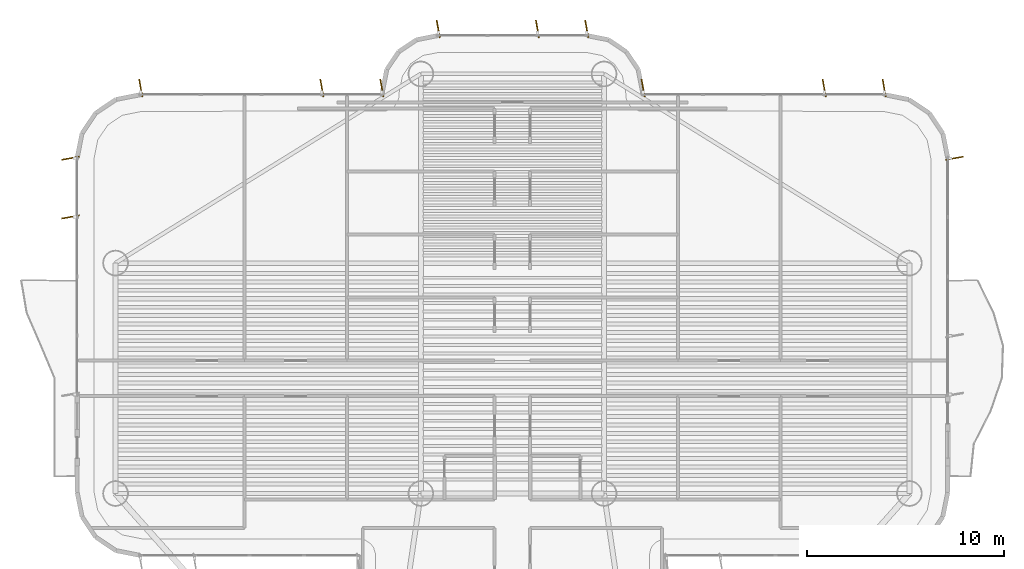
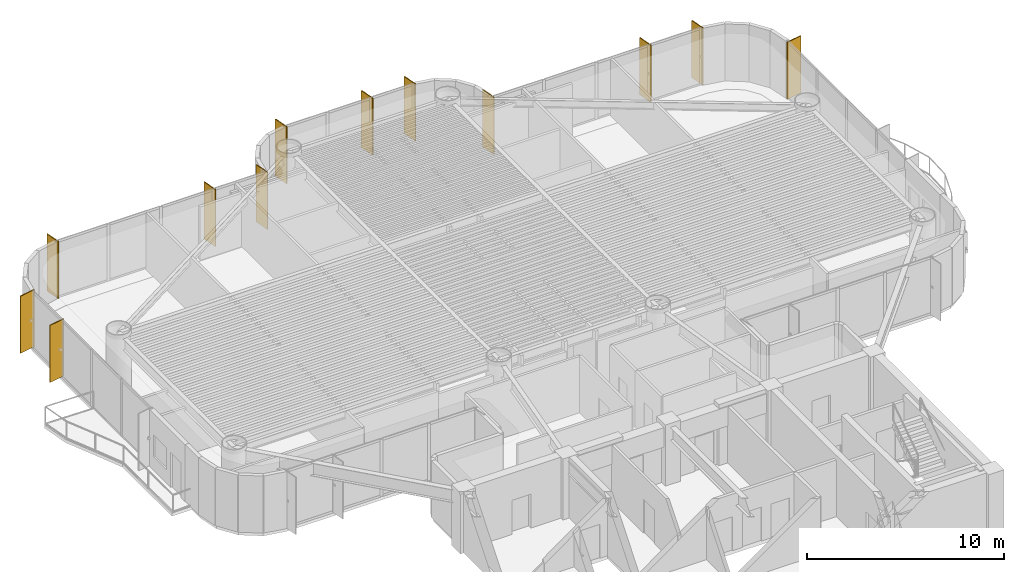
# One storey, part 16 of 16: 12 shading devices.
"""IFC4 building model written with IfcOpenShell, lengths in metres."""

from ifc_helpers import new_model, si_unit, direction, frame, origin, origin_2d, place, context, subcontext, project, spatial, rectangle, extrude, source, transform, mapped, material, material_profile, profile_set, type_object, element, save


model = new_model("IFC4")

# Units and contexts
model_context = context("Model", 3, precision=1e-05, world=origin(), true_north=direction((0.0, 1.0)))
body_context = subcontext(model_context, "Body", "Model", "MODEL_VIEW")
ifc_project = project(units=[si_unit("LENGTHUNIT", "METRE"), si_unit("AREAUNIT", "SQUARE_METRE"), si_unit("VOLUMEUNIT", "CUBIC_METRE"), si_unit("PLANEANGLEUNIT", "RADIAN"), si_unit("MASSUNIT", "GRAM", prefix="KILO")], contexts=[model_context])

# Site, building, storey
site_placement = place(None, origin())
site = spatial("IfcSite", under=ifc_project, at=site_placement, CompositionType="ELEMENT")
building_placement = place(site_placement, origin())
building = spatial("IfcBuilding", under=site, at=building_placement, Name="Brelvock Crest Care Tower", CompositionType="ELEMENT")
storey_placement = place(building_placement, frame((0.0, 0.0, 104.93994140625)))
storey = spatial("IfcBuildingStorey", under=building, at=storey_placement, Name="L26", CompositionType="ELEMENT", Elevation=104.93994140625)

# Shading devices
ifc_material = material(Name="Aluminium 6063-T6", Category="aluminium")
ifc_material_profile = material_profile(ifc_material, rectangle(XDim=0.054931640625, YDim=0.89990234375, at=origin_2d()), Name="FIN55x900")
ifc_profile_set = profile_set([ifc_material_profile], Name="Aluminium 6063-T6")
shading_device_type = type_object("IfcShadingDeviceType", Name="SHD-FIN1", PredefinedType="USERDEFINED", material=ifc_profile_set)
shared_shape = source(origin(), body_context, "Body", "SweptSolid", [
    extrude(rectangle(XDim=0.054931640625, YDim=0.89990234375, at=origin_2d()), origin(), (0.0, 0.0, 1.0), 3.530029296875),
])
for number, where, z_axis, x_axis, name in (
    (1, (13.56005859375, 41.1875, 0.0), (0.0, 0.0, 1.0), (-0.173648177667, 0.984807753012, 0.0), "L26 Vertical Sunshade Fin E17B-04"),
    (2, (13.56005859375, 44.169921875, 0.0), (0.0, 0.0, 1.0), (-0.173648177667, 0.984807753012, 0.0), "L26 Vertical Sunshade Fin E17B-05"),
    (3, (17.1298828125, 47.739990234375, 0.0), (0.0, 0.0, 1.0), (0.984807753012, 0.173648177667, 0.0), "L26 Vertical Sunshade Fin E22-01"),
    (4, (26.324951171875, 47.739990234375, 0.0), (0.0, 0.0, 1.0), (0.984807753012, 0.173648177667, 0.0), "L26 Vertical Sunshade Fin E22-04"),
    (5, (29.3701171875, 47.739990234375, 0.0), (0.0, 0.0, 1.0), (0.984807753012, 0.173648177667, 0.0), "L26 Vertical Sunshade Fin E22-05"),
    (6, (32.22998046875, 50.739990234375, 0.0), (0.0, 0.0, 1.0), (0.984807753012, 0.173648177667, 0.0), "L26 Vertical Sunshade Fin E28-01"),
    (7, (37.2666015625, 50.739990234375, 0.0), (0.0, 0.0, 1.0), (0.984807753012, 0.173648177667, 0.0), "L26 Vertical Sunshade Fin E28-03"),
    (8, (39.77001953125, 50.739990234375, 0.0), (0.0, 0.0, 1.0), (0.984807753012, 0.173648177667, 0.0), "L26 Vertical Sunshade Fin E28-04"),
    (9, (42.6298828125, 47.739990234375, 0.0), (0.0, 0.0, 1.0), (0.984807753012, 0.173648177667, 0.0), "L26 Vertical Sunshade Fin E34-01"),
    (10, (51.824951171875, 47.739990234375, 0.0), (0.0, 0.0, 1.0), (0.984807753012, 0.173648177667, 0.0), "L26 Vertical Sunshade Fin E34-04"),
    (11, (54.8701171875, 47.739990234375, 0.0), (0.0, 0.0, 1.0), (0.984807753012, 0.173648177667, 0.0), "L26 Vertical Sunshade Fin E34-05"),
    (12, (58.43994140625, 44.169921875, 0.0), (0.0, 0.0, 1.0), (0.173648177667, -0.984807753012, 0.0), "L26 Vertical Sunshade Fin E39A-01"),
):
    element("IfcShadingDevice", number, at=place(storey_placement, frame(where, z_axis=z_axis, x_axis=x_axis)), inside=storey, type_object=shading_device_type, Name=name, ObjectType="FIN", PredefinedType="USERDEFINED", context=body_context, shape_type="MappedRepresentation", body=[
        mapped(shared_shape, transform((0.0, 0.0, 0.0), x_axis=(1.0, 0.0, 0.0), y_axis=(0.0, 1.0, 0.0), z_axis=(0.0, 0.0, 1.0), scale=1.0)),
    ])

save(model, "model.ifc")
